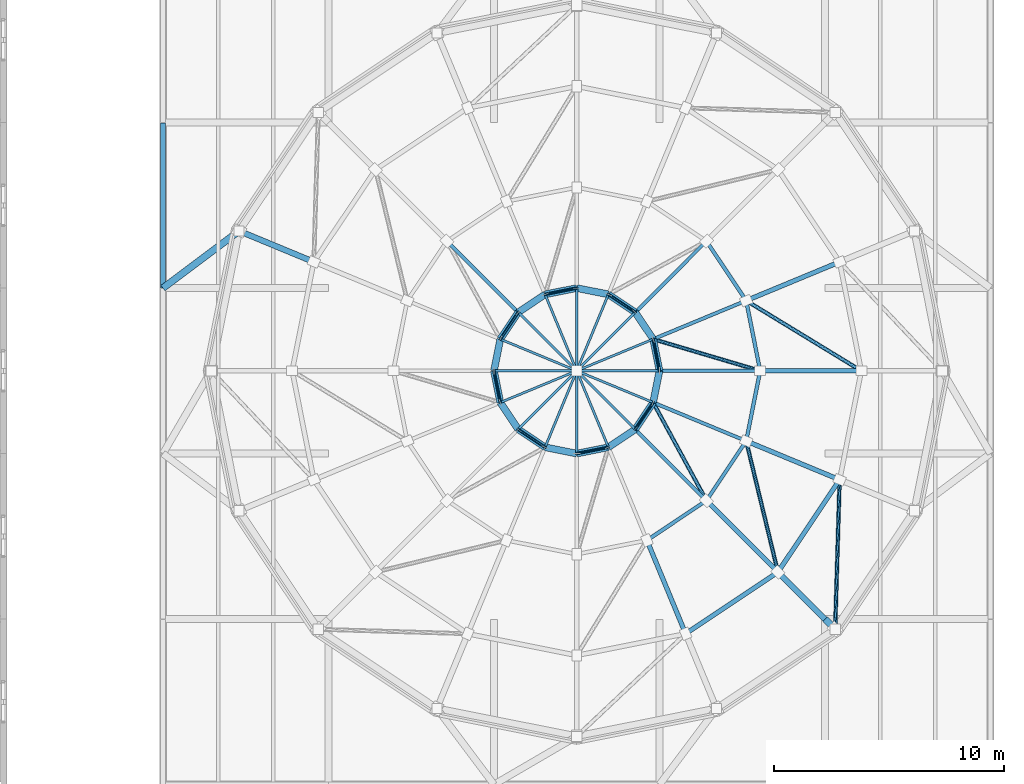
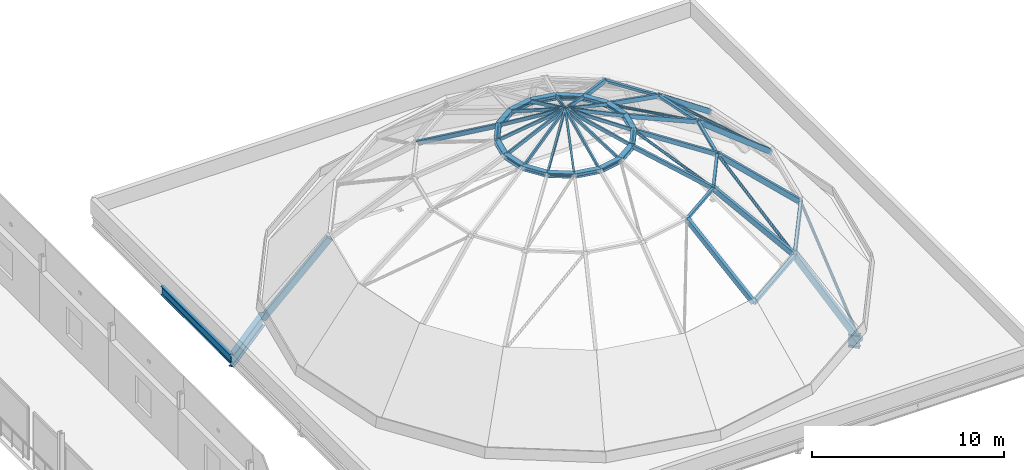
# One storey, part 14 of 66: 49 members, 19 beams.
"""IFC4 building model written with IfcOpenShell, lengths in metres."""

from ifc_helpers import new_model, si_unit, direction, frame, origin, origin_2d, place, context, subcontext, project, spatial, hollow_rectangle, hollow_circle, i_section, extrude, material, material_profile, profile_set, type_object, element, save


model = new_model("IFC4")

# Units and contexts
model_context = context("Model", 3, precision=1e-05, world=origin(), true_north=direction((0.0, 1.0)))
body_context = subcontext(model_context, "Body", "Model", "MODEL_VIEW")
ifc_project = project(units=[si_unit("LENGTHUNIT", "METRE"), si_unit("AREAUNIT", "SQUARE_METRE"), si_unit("VOLUMEUNIT", "CUBIC_METRE"), si_unit("PLANEANGLEUNIT", "RADIAN"), si_unit("MASSUNIT", "GRAM", prefix="KILO")], contexts=[model_context])

# Site, building, storey
site_placement = place(None, origin())
site = spatial("IfcSite", under=ifc_project, at=site_placement, CompositionType="ELEMENT")
building_placement = place(site_placement, origin())
building = spatial("IfcBuilding", under=site, at=building_placement, Name="Narikvali Park Central Library", CompositionType="ELEMENT")
storey_placement = place(building_placement, frame((0.0, 0.0, 18.60009765625)))
storey = spatial("IfcBuildingStorey", under=building, at=storey_placement, Name="L04", CompositionType="ELEMENT", Elevation=18.60009765625)

# Beams
ifc_material = material(Name="Steel S355", Category="steel")
ifc_material_profile_1 = material_profile(ifc_material, i_section(OverallWidth=0.300048828125, OverallDepth=0.800048828125, WebThickness=0.017578125, FlangeThickness=0.032958984375, FilletRadius=0.030029296875, at=origin_2d()), Name="HEB 800")
ifc_profile_set_1 = profile_set([ifc_material_profile_1], Name="Steel S355")
beam_type_1 = type_object("IfcBeamType", Name="Auditorium Long-Span Girder HEB800", PredefinedType="BEAM", material=ifc_profile_set_1)
beam_1_placement = place(storey_placement, frame((64.800048828125, 79.199951171875, -0.650146484375), z_axis=(0.799752202683, 0.600330254363, 0.0), x_axis=(-0.600330254363, 0.799752202683, 0.0)))
element("IfcBeam", 1, at=beam_1_placement, inside=storey, type_object=beam_type_1, Name="Dome Radial Ring Support Girder 08", PredefinedType="BEAM", context=body_context, shape_type="SweptSolid", body=[
    extrude(i_section(OverallWidth=0.300048828125, OverallDepth=0.800048828125, WebThickness=0.017578125, FlangeThickness=0.032958984375, FilletRadius=0.030029296875, at=origin_2d()), origin(), (0.0, 0.0, 1.0), 4.13916015625),
])
beam_2_placement = place(storey_placement, frame((93.60009765625, 64.800048828125, -0.650146484375), z_axis=(0.706911905414, -0.707301603267, 0.0), x_axis=(0.707301603267, 0.706911905414, 0.0)))
element("IfcBeam", 2, at=beam_2_placement, inside=storey, type_object=beam_type_1, Name="Dome Radial Ring Support Girder 15", PredefinedType="BEAM", context=body_context, shape_type="SweptSolid", body=[
    extrude(i_section(OverallWidth=0.300048828125, OverallDepth=0.800048828125, WebThickness=0.017578125, FlangeThickness=0.032958984375, FilletRadius=0.030029296875, at=origin_2d()), origin(), (0.0, 0.0, 1.0), 0.62646484375),
])

# Members
ifc_material_profile_2 = material_profile(ifc_material, hollow_rectangle(XDim=0.25, YDim=0.35009765625, WallThickness=0.012451171875, at=origin_2d()), Name="RHS 350x250x12.5")
ifc_profile_set_2 = profile_set([ifc_material_profile_2], Name="Steel S355")
member_type_1 = type_object("IfcMemberType", Name="Dome Base Arch Rib RHS350x250", PredefinedType="STRUT", material=ifc_profile_set_2)
for number, where, z_axis, x_axis, name in (
    (3, (68.1103515625, 81.684814453125, -0.650146484375), (0.544114478282, -0.225407184021, 0.808165228103), (0.382723413813, 0.92386297064, 0.0), "Main Reading Room Dome Meridional Rib T1-08"),
    (4, (94.04296875, 64.35693359375, -0.650146484375), (-0.416458142345, 0.416458142345, 0.808161636895), (-0.707106781187, -0.707106781187, 0.0), "Main Reading Room Dome Meridional Rib T1-15"),
):
    element("IfcMember", number, at=place(storey_placement, frame(where, z_axis=z_axis, x_axis=x_axis)), inside=storey, type_object=member_type_1, Name=name, PredefinedType="STRUT", context=body_context, shape_type="SweptSolid", body=[
        extrude(hollow_rectangle(XDim=0.25, YDim=0.35009765625, WallThickness=0.012451171875, at=origin_2d()), origin(), (0.0, 0.0, 1.0), 5.9765625),
    ])
ifc_material_profile_3 = material_profile(ifc_material, hollow_rectangle(XDim=0.199951171875, YDim=0.199951171875, WallThickness=0.012451171875, at=origin_2d()), Name="SHS 200x200x12.5")
ifc_profile_set_3 = profile_set([ifc_material_profile_3], Name="Steel S355")
member_type_2 = type_object("IfcMemberType", Name="Dome Hoop Ring Purlin SHS200x200", PredefinedType="PURLIN", material=ifc_profile_set_3)
for number, where, z_axis, x_axis, name in (
    (5, (87.53759765625, 64.162353515625, 4.179931640625), (0.831474439907, 0.55556300793, 0.0), (-0.55556300793, 0.831474439907, 0.0), "Main Reading Room Dome Hoop Ring T1-14"),
    (6, (91.553955078125, 66.845947265625, 4.179931640625), (0.55556300793, 0.831474439907, 0.0), (-0.831474439907, 0.55556300793, 0.0), "Main Reading Room Dome Hoop Ring T1-15"),
):
    element("IfcMember", number, at=place(storey_placement, frame(where, z_axis=z_axis, x_axis=x_axis)), inside=storey, type_object=member_type_2, Name=name, PredefinedType="PURLIN", context=body_context, shape_type="SweptSolid", body=[
        extrude(hollow_rectangle(XDim=0.199951171875, YDim=0.199951171875, WallThickness=0.012451171875, at=origin_2d()), origin(), (0.0, 0.0, 1.0), 4.830322265625),
    ])
ifc_material_profile_4 = material_profile(ifc_material, hollow_rectangle(XDim=0.10009765625, YDim=0.199951171875, WallThickness=0.010009765625, at=origin_2d()), Name="RHS 200x100x10")
ifc_profile_set_4 = profile_set([ifc_material_profile_4], Name="Steel S355")
member_type_3 = type_object("IfcMemberType", Name="Dome Lantern Rib RHS200x100", PredefinedType="STRUT", material=ifc_profile_set_4)
for number, where, z_axis, x_axis, name in (
    (7, (86.39990234375, 75.60009765625, 9.539794921875), (-0.904222993481, 0.0, 0.427060625744), (0.0, -1.0, 0.0), "Dome Lantern Radial Mullion Rib 01"),
    (8, (85.345703125, 78.1455078125, 9.539794921875), (-0.639415225678, -0.639353902649, 0.427053575489), (0.707072871258, -0.707140689489, 0.0), "Dome Lantern Radial Mullion Rib 03"),
    (9, (82.800048828125, 79.199951171875, 9.539794921875), (0.0, -0.904222993481, 0.427060625744), (1.0, 0.0, 0.0), "Dome Lantern Radial Mullion Rib 05"),
    (10, (80.25439453125, 78.1455078125, 9.539794921875), (0.639415225678, -0.639353902649, 0.427053575489), (0.707072871258, 0.707140689489, 0.0), "Dome Lantern Radial Mullion Rib 07"),
):
    element("IfcMember", number, at=place(storey_placement, frame(where, z_axis=z_axis, x_axis=x_axis)), inside=storey, type_object=member_type_3, Name=name, PredefinedType="STRUT", context=body_context, shape_type="SweptSolid", body=[
        extrude(hollow_rectangle(XDim=0.10009765625, YDim=0.199951171875, WallThickness=0.010009765625, at=origin_2d()), origin(), (0.0, 0.0, 1.0), 3.981201171875),
    ])
for number, where, z_axis, x_axis, name in (
    (11, (79.199951171875, 75.60009765625, 9.539794921875), (0.904234176877, 0.0, 0.427036946139), (0.0, 1.0, 0.0), "Dome Lantern Radial Mullion Rib 09"),
    (12, (80.25439453125, 73.054443359375, 9.539794921875), (0.639390156322, 0.639390156322, 0.427036832131), (-0.707106781187, 0.707106781187, 0.0), "Dome Lantern Radial Mullion Rib 11"),
    (13, (82.800048828125, 72.0, 9.539794921875), (0.0, 0.904234176877, 0.427036946139), (-1.0, 0.0, 0.0), "Dome Lantern Radial Mullion Rib 13"),
    (14, (85.345703125, 73.054443359375, 9.539794921875), (-0.639390156322, 0.639390156322, 0.427036832131), (-0.707106781187, -0.707106781187, 0.0), "Dome Lantern Radial Mullion Rib 15"),
):
    element("IfcMember", number, at=place(storey_placement, frame(where, z_axis=z_axis, x_axis=x_axis)), inside=storey, type_object=member_type_3, Name=name, PredefinedType="STRUT", context=body_context, shape_type="SweptSolid", body=[
        extrude(hollow_rectangle(XDim=0.10009765625, YDim=0.199951171875, WallThickness=0.010009765625, at=origin_2d()), origin(), (0.0, 0.0, 1.0), 3.9814453125),
    ])
ifc_material_profile_5 = material_profile(ifc_material, hollow_rectangle(XDim=0.10009765625, YDim=0.179931640625, WallThickness=0.008056640625, at=origin_2d()), Name="RHS 180x100x8")
ifc_profile_set_5 = profile_set([ifc_material_profile_5], Name="Steel S355")
member_type_4 = type_object("IfcMemberType", Name="Dome Lantern Tie RHS180x100", PredefinedType="STRUT", material=ifc_profile_set_5)
for number, where, z_axis, x_axis, name in (
    (15, (86.1259765625, 76.977783203125, 9.539794921875), (-0.835394559138, -0.346042097718, 0.427048940016), (0.382693194178, -0.923875488976, 0.0), "Dome Lantern Radial Mullion Rib 02"),
    (16, (84.177734375, 78.926025390625, 9.539794921875), (-0.346042097718, -0.835394559138, 0.427048940016), (0.923875488976, -0.382693194178, 0.0), "Dome Lantern Radial Mullion Rib 04"),
    (17, (81.42236328125, 78.926025390625, 9.539794921875), (0.346042097718, -0.835394559138, 0.427048940016), (0.923875488976, 0.382693194178, 0.0), "Dome Lantern Radial Mullion Rib 06"),
    (18, (79.47412109375, 76.977783203125, 9.539794921875), (0.835394559138, -0.346042097718, 0.427048940016), (0.382693194178, 0.923875488976, 0.0), "Dome Lantern Radial Mullion Rib 08"),
    (19, (79.47412109375, 74.222412109375, 9.539794921875), (0.835394559138, 0.346042097718, 0.427048940016), (-0.382693194178, 0.923875488976, 0.0), "Dome Lantern Radial Mullion Rib 10"),
):
    element("IfcMember", number, at=place(storey_placement, frame(where, z_axis=z_axis, x_axis=x_axis)), inside=storey, type_object=member_type_4, Name=name, PredefinedType="STRUT", context=body_context, shape_type="SweptSolid", body=[
        extrude(hollow_rectangle(XDim=0.10009765625, YDim=0.179931640625, WallThickness=0.008056640625, at=origin_2d()), origin(), (0.0, 0.0, 1.0), 3.981201171875),
    ])
for number, where, z_axis, x_axis, name in (
    (20, (81.42236328125, 72.27392578125, 9.539794921875), (0.346024371258, 0.835413084178, 0.427027063874), (-0.923885420167, 0.382669217998, 0.0), "Dome Lantern Radial Mullion Rib 12"),
    (21, (84.177734375, 72.27392578125, 9.539794921875), (-0.346024371258, 0.835413084178, 0.427027063874), (-0.923885420167, -0.382669217998, 0.0), "Dome Lantern Radial Mullion Rib 14"),
):
    element("IfcMember", number, at=place(storey_placement, frame(where, z_axis=z_axis, x_axis=x_axis)), inside=storey, type_object=member_type_4, Name=name, PredefinedType="STRUT", context=body_context, shape_type="SweptSolid", body=[
        extrude(hollow_rectangle(XDim=0.10009765625, YDim=0.179931640625, WallThickness=0.008056640625, at=origin_2d()), origin(), (0.0, 0.0, 1.0), 3.9814453125),
    ])
member_1_placement = place(storey_placement, frame((86.1259765625, 74.222412109375, 9.539794921875), z_axis=(-0.835394559138, 0.346042097718, 0.427048940016), x_axis=(-0.382693194178, -0.923875488976, 0.0)))
element("IfcMember", 22, at=member_1_placement, inside=storey, type_object=member_type_4, Name="Dome Lantern Radial Mullion Rib 16", PredefinedType="STRUT", context=body_context, shape_type="SweptSolid", body=[
    extrude(hollow_rectangle(XDim=0.10009765625, YDim=0.179931640625, WallThickness=0.008056640625, at=origin_2d()), origin(), (0.0, 0.0, 1.0), 3.981201171875),
])
ifc_material_profile_6 = material_profile(ifc_material, hollow_circle(Radius=0.084228515625, WallThickness=0.010009765625, at=origin_2d()), Name="CHS 168.3x10")
ifc_profile_set_6 = profile_set([ifc_material_profile_6], Name="Steel S355")
member_type_5 = type_object("IfcMemberType", Name="Dome Lower Wind Brace CHS168x10", PredefinedType="BRACE", material=ifc_profile_set_6)
member_2_placement = place(storey_placement, frame((94.04296875, 64.35693359375, -0.650146484375), z_axis=(0.024008080534, 0.802659114069, 0.59595466159), x_axis=(-0.999552975513, 0.029897309971, 0.0)))
element("IfcMember", 23, at=member_2_placement, inside=storey, type_object=member_type_5, Name="Dome Wind Diagonal Brace T1-15", PredefinedType="BRACE", context=body_context, shape_type="SweptSolid", body=[
    extrude(hollow_circle(Radius=0.084228515625, WallThickness=0.010009765625, at=origin_2d()), origin(), (0.0, 0.0, 1.0), 8.104736328125),
])
ifc_material_profile_7 = material_profile(ifc_material, hollow_rectangle(XDim=0.199951171875, YDim=0.300048828125, WallThickness=0.012451171875, at=origin_2d()), Name="RHS 300x200x12.5")
ifc_profile_set_7 = profile_set([ifc_material_profile_7], Name="Steel S355")
member_type_6 = type_object("IfcMemberType", Name="Dome Meridional Arch Rib RHS300x200", PredefinedType="STRUT", material=ifc_profile_set_7)
for number, where, z_axis, x_axis, name in (
    (24, (95.179931640625, 75.60009765625, 4.179931640625), (-0.786067028411, 0.0, 0.618141267709), (0.0, -1.0, 0.0), "Main Reading Room Dome Meridional Rib T2-01"),
    (25, (94.237548828125, 80.337646484375, 4.179931640625), (-0.726225343544, -0.300827399064, 0.618142076198), (0.382699733613, -0.923872780145, 0.0), "Main Reading Room Dome Meridional Rib T2-02"),
    (26, (87.53759765625, 64.162353515625, 4.179931640625), (-0.300827399064, 0.726225343544, 0.618142076198), (-0.923872780145, -0.382699733613, 0.0), "Main Reading Room Dome Meridional Rib T2-14"),
    (27, (91.553955078125, 66.845947265625, 4.179931640625), (-0.555842018751, 0.555842018751, 0.618125634788), (-0.707106781187, -0.707106781187, 0.0), "Main Reading Room Dome Meridional Rib T2-15"),
    (28, (94.237548828125, 70.8623046875, 4.179931640625), (-0.726225343544, 0.300827399064, 0.618142076198), (-0.382699733613, -0.923872780145, 0.0), "Main Reading Room Dome Meridional Rib T2-16"),
):
    element("IfcMember", number, at=place(storey_placement, frame(where, z_axis=z_axis, x_axis=x_axis)), inside=storey, type_object=member_type_6, Name=name, PredefinedType="STRUT", context=body_context, shape_type="SweptSolid", body=[
        extrude(hollow_rectangle(XDim=0.199951171875, YDim=0.300048828125, WallThickness=0.012451171875, at=origin_2d()), origin(), (0.0, 0.0, 1.0), 5.597412109375),
    ])
ifc_material_profile_8 = material_profile(ifc_material, hollow_rectangle(XDim=0.14990234375, YDim=0.25, WallThickness=0.010009765625, at=origin_2d()), Name="RHS 250x150x10")
ifc_profile_set_8 = profile_set([ifc_material_profile_8], Name="Steel S355")
member_type_7 = type_object("IfcMemberType", Name="Dome Upper Arch Rib RHS250x150", PredefinedType="STRUT", material=ifc_profile_set_8)
for number, where, z_axis, x_axis, name in (
    (29, (90.780029296875, 75.60009765625, 7.639892578125), (-0.917414407887, 0.0, 0.397933165497), (0.0, -1.0, 0.0), "Main Reading Room Dome Meridional Rib T3-01"),
    (30, (90.172607421875, 78.65380859375, 7.639892578125), (-0.847586755563, -0.351051769348, 0.397943899354), (0.38265537139, -0.923891155249, 0.0), "Main Reading Room Dome Meridional Rib T3-02"),
):
    element("IfcMember", number, at=place(storey_placement, frame(where, z_axis=z_axis, x_axis=x_axis)), inside=storey, type_object=member_type_7, Name=name, PredefinedType="STRUT", context=body_context, shape_type="SweptSolid", body=[
        extrude(hollow_rectangle(XDim=0.14990234375, YDim=0.25, WallThickness=0.010009765625, at=origin_2d()), origin(), (0.0, 0.0, 1.0), 4.7744140625),
    ])
member_3_placement = place(storey_placement, frame((88.442626953125, 81.24267578125, 7.639892578125), z_axis=(-0.648678688967, -0.648729826428, 0.39795171916), x_axis=(0.707134651308, -0.707078909967, 0.0)))
element("IfcMember", 31, at=member_3_placement, inside=storey, type_object=member_type_7, Name="Main Reading Room Dome Meridional Rib T3-03", PredefinedType="STRUT", context=body_context, shape_type="SweptSolid", body=[
    extrude(hollow_rectangle(XDim=0.14990234375, YDim=0.25, WallThickness=0.010009765625, at=origin_2d()), origin(), (0.0, 0.0, 1.0), 4.774169921875),
])
member_4_placement = place(storey_placement, frame((77.1572265625, 81.24267578125, 7.639892578125), z_axis=(0.648708307127, -0.648708307127, 0.397938518529), x_axis=(0.707106781187, 0.707106781187, 0.0)))
element("IfcMember", 32, at=member_4_placement, inside=storey, type_object=member_type_7, Name="Main Reading Room Dome Meridional Rib T3-07", PredefinedType="STRUT", context=body_context, shape_type="SweptSolid", body=[
    extrude(hollow_rectangle(XDim=0.14990234375, YDim=0.25, WallThickness=0.010009765625, at=origin_2d()), origin(), (0.0, 0.0, 1.0), 4.7744140625),
])
member_5_placement = place(storey_placement, frame((88.442626953125, 69.957275390625, 7.639892578125), z_axis=(-0.648678688967, 0.648729826428, 0.39795171916), x_axis=(-0.707134651308, -0.707078909967, 0.0)))
element("IfcMember", 33, at=member_5_placement, inside=storey, type_object=member_type_7, Name="Main Reading Room Dome Meridional Rib T3-15", PredefinedType="STRUT", context=body_context, shape_type="SweptSolid", body=[
    extrude(hollow_rectangle(XDim=0.14990234375, YDim=0.25, WallThickness=0.010009765625, at=origin_2d()), origin(), (0.0, 0.0, 1.0), 4.774169921875),
])
member_6_placement = place(storey_placement, frame((90.172607421875, 72.546142578125, 7.639892578125), z_axis=(-0.847571539374, 0.351096602675, 0.397936755319), x_axis=(-0.382702948164, -0.923871448561, 0.0)))
element("IfcMember", 34, at=member_6_placement, inside=storey, type_object=member_type_7, Name="Main Reading Room Dome Meridional Rib T3-16", PredefinedType="STRUT", context=body_context, shape_type="SweptSolid", body=[
    extrude(hollow_rectangle(XDim=0.14990234375, YDim=0.25, WallThickness=0.010009765625, at=origin_2d()), origin(), (0.0, 0.0, 1.0), 4.7744140625),
])
ifc_material_profile_9 = material_profile(ifc_material, hollow_rectangle(XDim=0.159912109375, YDim=0.159912109375, WallThickness=0.010009765625, at=origin_2d()), Name="SHS 160x160x10")
ifc_profile_set_9 = profile_set([ifc_material_profile_9], Name="Steel S355")
member_type_8 = type_object("IfcMemberType", Name="Dome Upper Hoop Purlin SHS160x160", PredefinedType="PURLIN", material=ifc_profile_set_9)
member_7_placement = place(storey_placement, frame((90.780029296875, 75.60009765625, 7.639892578125), z_axis=(-0.195090631937, 0.980785218756, 0.0), x_axis=(-0.980785218756, -0.195090631937, 0.0)))
element("IfcMember", 35, at=member_7_placement, inside=storey, type_object=member_type_8, Name="Main Reading Room Dome Hoop Ring T2-01", PredefinedType="PURLIN", context=body_context, shape_type="SweptSolid", body=[
    extrude(hollow_rectangle(XDim=0.159912109375, YDim=0.159912109375, WallThickness=0.010009765625, at=origin_2d()), origin(), (0.0, 0.0, 1.0), 3.113525390625),
])
for number, where, z_axis, x_axis, name in (
    (36, (90.172607421875, 78.65380859375, 7.639892578125), (-0.555604584959, 0.831446658044, 0.0), (-0.831446658044, -0.555604584959, 0.0), "Main Reading Room Dome Hoop Ring T2-02"),
    (37, (85.853759765625, 68.227294921875, 7.639892578125), (0.831446658044, 0.555604584959, 0.0), (-0.555604584959, 0.831446658044, 0.0), "Main Reading Room Dome Hoop Ring T2-14"),
    (38, (88.442626953125, 69.957275390625, 7.639892578125), (0.555604584959, 0.831446658044, 0.0), (-0.831446658044, 0.555604584959, 0.0), "Main Reading Room Dome Hoop Ring T2-15"),
    (39, (90.172607421875, 72.546142578125, 7.639892578125), (0.195075629437, 0.980788202825, 0.0), (-0.980788202825, 0.195075629437, 0.0), "Main Reading Room Dome Hoop Ring T2-16"),
):
    element("IfcMember", number, at=place(storey_placement, frame(where, z_axis=z_axis, x_axis=x_axis)), inside=storey, type_object=member_type_8, Name=name, PredefinedType="PURLIN", context=body_context, shape_type="SweptSolid", body=[
        extrude(hollow_rectangle(XDim=0.159912109375, YDim=0.159912109375, WallThickness=0.010009765625, at=origin_2d()), origin(), (0.0, 0.0, 1.0), 3.11376953125),
    ])
ifc_material_profile_10 = material_profile(ifc_material, hollow_circle(Radius=0.084228515625, WallThickness=0.008056640625, at=origin_2d()), Name="CHS 168.3x8")
ifc_profile_set_10 = profile_set([ifc_material_profile_10], Name="Steel S355")
member_type_9 = type_object("IfcMemberType", Name="Dome Wind Diagonal Brace CHS168", PredefinedType="BRACE", material=ifc_profile_set_10)
for number, where, z_axis, x_axis, name in (
    (40, (95.179931640625, 75.60009765625, 4.179931640625), (-0.735340038302, 0.448446279819, 0.508105266836), (-0.520665151511, -0.853760973576, 0.0), "Dome Wind Diagonal Brace T2-01"),
    (41, (91.553955078125, 66.845947265625, 4.179931640625), (-0.202850737547, 0.837072997569, 0.508094848447), (-0.971870319141, -0.235516629506, 0.0), "Dome Wind Diagonal Brace T2-15"),
):
    element("IfcMember", number, at=place(storey_placement, frame(where, z_axis=z_axis, x_axis=x_axis)), inside=storey, type_object=member_type_9, Name=name, PredefinedType="BRACE", context=body_context, shape_type="SweptSolid", body=[
        extrude(hollow_circle(Radius=0.084228515625, WallThickness=0.008056640625, at=origin_2d()), origin(), (0.0, 0.0, 1.0), 6.8095703125),
    ])
member_8_placement = place(storey_placement, frame((90.780029296875, 75.60009765625, 7.639892578125), z_axis=(-0.89290167708, 0.264315383925, 0.364505106806), x_axis=(-0.283843416699, -0.958870645497, 0.0)))
element("IfcMember", 42, at=member_8_placement, inside=storey, type_object=member_type_9, Name="Dome Wind Diagonal Brace T3-01", PredefinedType="BRACE", context=body_context, shape_type="SweptSolid", body=[
    extrude(hollow_circle(Radius=0.084228515625, WallThickness=0.008056640625, at=origin_2d()), origin(), (0.0, 0.0, 1.0), 5.212158203125),
])
member_9_placement = place(storey_placement, frame((88.442626953125, 69.957275390625, 7.639892578125), z_axis=(-0.444459865149, 0.818285788191, 0.364504865696), x_axis=(-0.878741929309, -0.477297204763, 0.0)))
element("IfcMember", 43, at=member_9_placement, inside=storey, type_object=member_type_9, Name="Dome Wind Diagonal Brace T3-15", PredefinedType="BRACE", context=body_context, shape_type="SweptSolid", body=[
    extrude(hollow_circle(Radius=0.084228515625, WallThickness=0.008056640625, at=origin_2d()), origin(), (0.0, 0.0, 1.0), 5.21240234375),
])
ifc_material_profile_11 = material_profile(ifc_material, hollow_circle(Radius=0.05712890625, WallThickness=0.00634765625, at=origin_2d()), Name="CHS 114.3x6.3")
ifc_profile_set_11 = profile_set([ifc_material_profile_11], Name="Steel S355")
member_type_10 = type_object("IfcMemberType", Name="Lantern Wind Brace CHS114", PredefinedType="BRACE", material=ifc_profile_set_11)
member_10_placement = place(storey_placement, frame((86.39990234375, 75.60009765625, 9.539794921875), z_axis=(-0.195012996379, 0.98080065826, 0.0), x_axis=(-0.98080065826, -0.195012996379, 0.0)))
element("IfcMember", 44, at=member_10_placement, inside=storey, type_object=member_type_10, Name="Dome Lantern Ring Brace 01", PredefinedType="BRACE", context=body_context, shape_type="SweptSolid", body=[
    extrude(hollow_circle(Radius=0.05712890625, WallThickness=0.00634765625, at=origin_2d()), origin(), (0.0, 0.0, 1.0), 1.404541015625),
])
member_11_placement = place(storey_placement, frame((85.345703125, 78.1455078125, 9.539794921875), z_axis=(-0.831434816422, 0.555622305205, 0.0), x_axis=(-0.555622305205, -0.831434816422, 0.0)))
element("IfcMember", 45, at=member_11_placement, inside=storey, type_object=member_type_10, Name="Dome Lantern Ring Brace 03", PredefinedType="BRACE", context=body_context, shape_type="SweptSolid", body=[
    extrude(hollow_circle(Radius=0.05712890625, WallThickness=0.00634765625, at=origin_2d()), origin(), (0.0, 0.0, 1.0), 1.40478515625),
])
for number, where, z_axis, x_axis, name in (
    (46, (82.800048828125, 79.199951171875, 9.539794921875), (-0.98080065826, -0.195012996379, 0.0), (0.195012996379, -0.98080065826, 0.0), "Dome Lantern Ring Brace 05"),
    (47, (80.25439453125, 78.1455078125, 9.539794921875), (-0.555582440288, -0.831461455537, 0.0), (0.831461455537, -0.555582440288, 0.0), "Dome Lantern Ring Brace 07"),
):
    element("IfcMember", number, at=place(storey_placement, frame(where, z_axis=z_axis, x_axis=x_axis)), inside=storey, type_object=member_type_10, Name=name, PredefinedType="BRACE", context=body_context, shape_type="SweptSolid", body=[
        extrude(hollow_circle(Radius=0.05712890625, WallThickness=0.00634765625, at=origin_2d()), origin(), (0.0, 0.0, 1.0), 1.404541015625),
    ])
for number, where, z_axis, x_axis, name in (
    (48, (79.199951171875, 75.60009765625, 9.539794921875), (0.195180186307, -0.980767401005, 0.0), (0.980767401005, 0.195180186307, 0.0), "Dome Lantern Ring Brace 09"),
    (49, (80.25439453125, 73.054443359375, 9.539794921875), (0.831434816422, -0.555622305205, 0.0), (0.555622305205, 0.831434816422, 0.0), "Dome Lantern Ring Brace 11"),
):
    element("IfcMember", number, at=place(storey_placement, frame(where, z_axis=z_axis, x_axis=x_axis)), inside=storey, type_object=member_type_10, Name=name, PredefinedType="BRACE", context=body_context, shape_type="SweptSolid", body=[
        extrude(hollow_circle(Radius=0.05712890625, WallThickness=0.00634765625, at=origin_2d()), origin(), (0.0, 0.0, 1.0), 1.40478515625),
    ])
for number, where, z_axis, x_axis, name in (
    (50, (82.800048828125, 72.0, 9.539794921875), (0.98080065826, 0.195012996379, 0.0), (-0.195012996379, 0.98080065826, 0.0), "Dome Lantern Ring Brace 13"),
    (51, (85.345703125, 73.054443359375, 9.539794921875), (0.555502146192, 0.831515102434, 0.0), (-0.831515102434, 0.555502146192, 0.0), "Dome Lantern Ring Brace 15"),
):
    element("IfcMember", number, at=place(storey_placement, frame(where, z_axis=z_axis, x_axis=x_axis)), inside=storey, type_object=member_type_10, Name=name, PredefinedType="BRACE", context=body_context, shape_type="SweptSolid", body=[
        extrude(hollow_circle(Radius=0.05712890625, WallThickness=0.00634765625, at=origin_2d()), origin(), (0.0, 0.0, 1.0), 1.404541015625),
    ])

# Beams
ifc_material_profile_12 = material_profile(ifc_material, i_section(OverallWidth=0.300048828125, OverallDepth=0.2900390625, WebThickness=0.008544921875, FlangeThickness=0.013916015625, FilletRadius=0.027099609375, at=origin_2d()), Name="HEA 300")
ifc_profile_set_12 = profile_set([ifc_material_profile_12], Name="Steel S355")
beam_type_2 = type_object("IfcBeamType", Name="Oculus Compression Ring HEA300", PredefinedType="BEAM", material=ifc_profile_set_12)
for number, where, z_axis, x_axis, name in (
    (52, (86.39990234375, 75.60009765625, 9.539794921875), (-0.195012996379, 0.98080065826, 0.0), (-0.98080065826, -0.195012996379, 0.0), "Dome Oculus Compression Ring Beam 01"),
    (53, (86.1259765625, 76.977783203125, 9.539794921875), (-0.555582440288, 0.831461455537, 0.0), (-0.831461455537, -0.555582440288, 0.0), "Dome Oculus Compression Ring Beam 02"),
):
    element("IfcBeam", number, at=place(storey_placement, frame(where, z_axis=z_axis, x_axis=x_axis)), inside=storey, type_object=beam_type_2, Name=name, PredefinedType="BEAM", context=body_context, shape_type="SweptSolid", body=[
        extrude(i_section(OverallWidth=0.300048828125, OverallDepth=0.2900390625, WebThickness=0.008544921875, FlangeThickness=0.013916015625, FilletRadius=0.027099609375, at=origin_2d()), origin(), (0.0, 0.0, 1.0), 1.404541015625),
    ])
beam_3_placement = place(storey_placement, frame((85.345703125, 78.1455078125, 9.539794921875), z_axis=(-0.831434816422, 0.555622305205, 0.0), x_axis=(-0.555622305205, -0.831434816422, 0.0)))
element("IfcBeam", 54, at=beam_3_placement, inside=storey, type_object=beam_type_2, Name="Dome Oculus Compression Ring Beam 03", PredefinedType="BEAM", context=body_context, shape_type="SweptSolid", body=[
    extrude(i_section(OverallWidth=0.300048828125, OverallDepth=0.2900390625, WebThickness=0.008544921875, FlangeThickness=0.013916015625, FilletRadius=0.027099609375, at=origin_2d()), origin(), (0.0, 0.0, 1.0), 1.40478515625),
])
for number, where, z_axis, x_axis, name in (
    (55, (84.177734375, 78.926025390625, 9.539794921875), (-0.98080065826, 0.195012996379, 0.0), (-0.195012996379, -0.98080065826, 0.0), "Dome Oculus Compression Ring Beam 04"),
    (56, (82.800048828125, 79.199951171875, 9.539794921875), (-0.98080065826, -0.195012996379, 0.0), (0.195012996379, -0.98080065826, 0.0), "Dome Oculus Compression Ring Beam 05"),
):
    element("IfcBeam", number, at=place(storey_placement, frame(where, z_axis=z_axis, x_axis=x_axis)), inside=storey, type_object=beam_type_2, Name=name, PredefinedType="BEAM", context=body_context, shape_type="SweptSolid", body=[
        extrude(i_section(OverallWidth=0.300048828125, OverallDepth=0.2900390625, WebThickness=0.008544921875, FlangeThickness=0.013916015625, FilletRadius=0.027099609375, at=origin_2d()), origin(), (0.0, 0.0, 1.0), 1.404541015625),
    ])
beam_4_placement = place(storey_placement, frame((81.42236328125, 78.926025390625, 9.539794921875), z_axis=(-0.831434816422, -0.555622305205, 0.0), x_axis=(0.555622305205, -0.831434816422, 0.0)))
element("IfcBeam", 57, at=beam_4_placement, inside=storey, type_object=beam_type_2, Name="Dome Oculus Compression Ring Beam 06", PredefinedType="BEAM", context=body_context, shape_type="SweptSolid", body=[
    extrude(i_section(OverallWidth=0.300048828125, OverallDepth=0.2900390625, WebThickness=0.008544921875, FlangeThickness=0.013916015625, FilletRadius=0.027099609375, at=origin_2d()), origin(), (0.0, 0.0, 1.0), 1.40478515625),
])
beam_5_placement = place(storey_placement, frame((80.25439453125, 78.1455078125, 9.539794921875), z_axis=(-0.555582440288, -0.831461455537, 0.0), x_axis=(0.831461455537, -0.555582440288, 0.0)))
element("IfcBeam", 58, at=beam_5_placement, inside=storey, type_object=beam_type_2, Name="Dome Oculus Compression Ring Beam 07", PredefinedType="BEAM", context=body_context, shape_type="SweptSolid", body=[
    extrude(i_section(OverallWidth=0.300048828125, OverallDepth=0.2900390625, WebThickness=0.008544921875, FlangeThickness=0.013916015625, FilletRadius=0.027099609375, at=origin_2d()), origin(), (0.0, 0.0, 1.0), 1.404541015625),
])
for number, where, z_axis, x_axis, name in (
    (59, (79.47412109375, 76.977783203125, 9.539794921875), (-0.195180186307, -0.980767401005, 0.0), (0.980767401005, -0.195180186307, 0.0), "Dome Oculus Compression Ring Beam 08"),
    (60, (79.199951171875, 75.60009765625, 9.539794921875), (0.195180186307, -0.980767401005, 0.0), (0.980767401005, 0.195180186307, 0.0), "Dome Oculus Compression Ring Beam 09"),
):
    element("IfcBeam", number, at=place(storey_placement, frame(where, z_axis=z_axis, x_axis=x_axis)), inside=storey, type_object=beam_type_2, Name=name, PredefinedType="BEAM", context=body_context, shape_type="SweptSolid", body=[
        extrude(i_section(OverallWidth=0.300048828125, OverallDepth=0.2900390625, WebThickness=0.008544921875, FlangeThickness=0.013916015625, FilletRadius=0.027099609375, at=origin_2d()), origin(), (0.0, 0.0, 1.0), 1.40478515625),
    ])
beam_6_placement = place(storey_placement, frame((79.47412109375, 74.222412109375, 9.539794921875), z_axis=(0.555502146192, -0.831515102434, 0.0), x_axis=(0.831515102434, 0.555502146192, 0.0)))
element("IfcBeam", 61, at=beam_6_placement, inside=storey, type_object=beam_type_2, Name="Dome Oculus Compression Ring Beam 10", PredefinedType="BEAM", context=body_context, shape_type="SweptSolid", body=[
    extrude(i_section(OverallWidth=0.300048828125, OverallDepth=0.2900390625, WebThickness=0.008544921875, FlangeThickness=0.013916015625, FilletRadius=0.027099609375, at=origin_2d()), origin(), (0.0, 0.0, 1.0), 1.404541015625),
])
beam_7_placement = place(storey_placement, frame((80.25439453125, 73.054443359375, 9.539794921875), z_axis=(0.831434816422, -0.555622305205, 0.0), x_axis=(0.555622305205, 0.831434816422, 0.0)))
element("IfcBeam", 62, at=beam_7_placement, inside=storey, type_object=beam_type_2, Name="Dome Oculus Compression Ring Beam 11", PredefinedType="BEAM", context=body_context, shape_type="SweptSolid", body=[
    extrude(i_section(OverallWidth=0.300048828125, OverallDepth=0.2900390625, WebThickness=0.008544921875, FlangeThickness=0.013916015625, FilletRadius=0.027099609375, at=origin_2d()), origin(), (0.0, 0.0, 1.0), 1.40478515625),
])
for number, where, z_axis, x_axis, name in (
    (63, (81.42236328125, 72.27392578125, 9.539794921875), (0.98080065826, -0.195012996379, 0.0), (0.195012996379, 0.98080065826, 0.0), "Dome Oculus Compression Ring Beam 12"),
    (64, (82.800048828125, 72.0, 9.539794921875), (0.98080065826, 0.195012996379, 0.0), (-0.195012996379, 0.98080065826, 0.0), "Dome Oculus Compression Ring Beam 13"),
):
    element("IfcBeam", number, at=place(storey_placement, frame(where, z_axis=z_axis, x_axis=x_axis)), inside=storey, type_object=beam_type_2, Name=name, PredefinedType="BEAM", context=body_context, shape_type="SweptSolid", body=[
        extrude(i_section(OverallWidth=0.300048828125, OverallDepth=0.2900390625, WebThickness=0.008544921875, FlangeThickness=0.013916015625, FilletRadius=0.027099609375, at=origin_2d()), origin(), (0.0, 0.0, 1.0), 1.404541015625),
    ])
beam_8_placement = place(storey_placement, frame((84.177734375, 72.27392578125, 9.539794921875), z_axis=(0.831434816422, 0.555622305205, 0.0), x_axis=(-0.555622305205, 0.831434816422, 0.0)))
element("IfcBeam", 65, at=beam_8_placement, inside=storey, type_object=beam_type_2, Name="Dome Oculus Compression Ring Beam 14", PredefinedType="BEAM", context=body_context, shape_type="SweptSolid", body=[
    extrude(i_section(OverallWidth=0.300048828125, OverallDepth=0.2900390625, WebThickness=0.008544921875, FlangeThickness=0.013916015625, FilletRadius=0.027099609375, at=origin_2d()), origin(), (0.0, 0.0, 1.0), 1.40478515625),
])
for number, where, z_axis, x_axis, name in (
    (66, (85.345703125, 73.054443359375, 9.539794921875), (0.555502146192, 0.831515102434, 0.0), (-0.831515102434, 0.555502146192, 0.0), "Dome Oculus Compression Ring Beam 15"),
    (67, (86.1259765625, 74.222412109375, 9.539794921875), (0.195012996379, 0.98080065826, 0.0), (-0.98080065826, 0.195012996379, 0.0), "Dome Oculus Compression Ring Beam 16"),
):
    element("IfcBeam", number, at=place(storey_placement, frame(where, z_axis=z_axis, x_axis=x_axis)), inside=storey, type_object=beam_type_2, Name=name, PredefinedType="BEAM", context=body_context, shape_type="SweptSolid", body=[
        extrude(i_section(OverallWidth=0.300048828125, OverallDepth=0.2900390625, WebThickness=0.008544921875, FlangeThickness=0.013916015625, FilletRadius=0.027099609375, at=origin_2d()), origin(), (0.0, 0.0, 1.0), 1.404541015625),
    ])
ifc_material_profile_13 = material_profile(ifc_material, i_section(OverallWidth=0.2099609375, OverallDepth=0.550048828125, WebThickness=0.010986328125, FlangeThickness=0.01708984375, FilletRadius=0.02392578125, at=origin_2d()), Name="IPE 550")
ifc_profile_set_13 = profile_set([ifc_material_profile_13], Name="Steel S355")
beam_type_3 = type_object("IfcBeamType", Name="Perimeter Spandrel IPE550", PredefinedType="SPANDREL", material=ifc_profile_set_13)
beam_9_placement = place(storey_placement, frame((64.800048828125, 79.2080078125, -0.51513671875), z_axis=(0.0, 1.0, 0.0), x_axis=(-1.0, 0.0, 0.0)))
element("IfcBeam", 68, at=beam_9_placement, inside=storey, type_object=beam_type_3, Name="V1 L04 Girder Y", PredefinedType="SPANDREL", context=body_context, shape_type="SweptSolid", body=[
    extrude(i_section(OverallWidth=0.2099609375, OverallDepth=0.550048828125, WebThickness=0.010986328125, FlangeThickness=0.01708984375, FilletRadius=0.02392578125, at=origin_2d()), origin(), (0.0, 0.0, 1.0), 7.18408203125),
])

save(model, "model.ifc")
